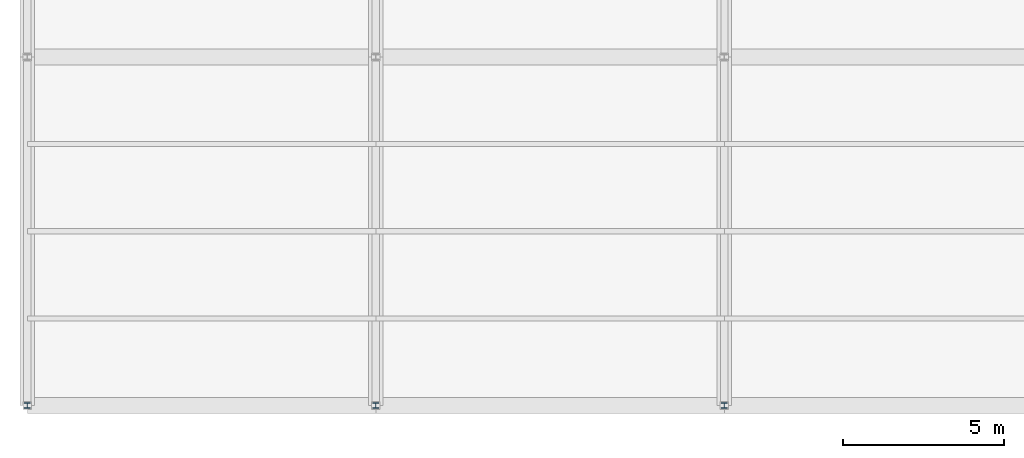
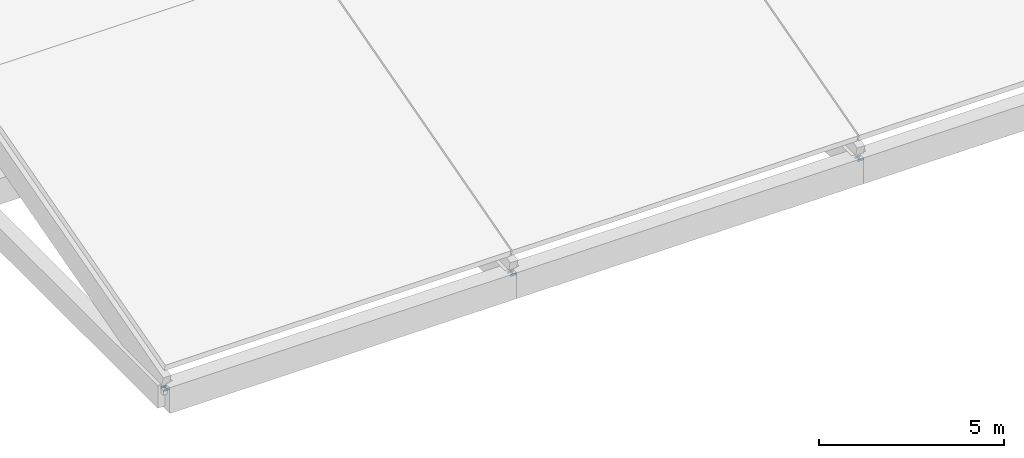
# One storey, part 66 of 112: 3 members.
"""IFC4 building model written with IfcOpenShell, lengths in metres."""

from ifc_helpers import new_model, si_unit, direction, frame, origin, origin_2d, place, context, subcontext, project, spatial, i_section, extrude, material, material_profile, profile_set, type_object, element, save


model = new_model("IFC4")

# Units and contexts
model_context = context("Model", 3, precision=1e-05, world=origin(), true_north=direction((0.0, 1.0)))
body_context = subcontext(model_context, "Body", "Model", "MODEL_VIEW")
ifc_project = project(units=[si_unit("LENGTHUNIT", "METRE"), si_unit("AREAUNIT", "SQUARE_METRE"), si_unit("VOLUMEUNIT", "CUBIC_METRE"), si_unit("PLANEANGLEUNIT", "RADIAN"), si_unit("MASSUNIT", "GRAM", prefix="KILO")], contexts=[model_context])

# Site, building, storey
site_placement = place(None, origin())
site = spatial("IfcSite", under=ifc_project, at=site_placement, CompositionType="ELEMENT")
building_placement = place(site_placement, origin())
building = spatial("IfcBuilding", under=site, at=building_placement, Name="Zwinboog Wholesale Market", CompositionType="ELEMENT")
storey_placement = place(building_placement, frame((0.0, 0.0, 19.080078125)))
storey = spatial("IfcBuildingStorey", under=building, at=storey_placement, Name="Roof", CompositionType="ELEMENT", Elevation=19.080078125)

# Members
ifc_material = material(Name="Steel S355", Category="steel")
ifc_material_profile = material_profile(ifc_material, i_section(OverallWidth=0.179931640625, OverallDepth=0.1708984375, WebThickness=0.006103515625, FlangeThickness=0.009521484375, FilletRadius=0.014892578125, at=origin_2d()), Name="HEA 180")
ifc_profile_set = profile_set([ifc_material_profile], Name="Steel S355")
member_type = type_object("IfcMemberType", Name="MT-07", PredefinedType="BRACE", material=ifc_profile_set)
member_1_placement = place(storey_placement, frame((0.0, 0.0, -9.2001953125), z_axis=(0.0, 0.0, 1.0), x_axis=(1.0, 0.0, 0.0)))
element("IfcMember", 1, at=member_1_placement, inside=storey, type_object=member_type, Name="DB-04 (MEM-Roof-0661)", PredefinedType="BRACE", context=body_context, shape_type="SweptSolid", body=[
    extrude(i_section(OverallWidth=0.179931640625, OverallDepth=0.1708984375, WebThickness=0.006103515625, FlangeThickness=0.009521484375, FilletRadius=0.014892578125, at=origin_2d()), origin(), (0.0, 0.0, 1.0), 0.074462890625),
])
member_2_placement = place(storey_placement, frame((10.800048828125, 0.0, -9.2001953125), z_axis=(0.0, 0.0, 1.0), x_axis=(1.0, 0.0, 0.0)))
element("IfcMember", 2, at=member_2_placement, inside=storey, type_object=member_type, Name="DB-04 (MEM-Roof-0666)", PredefinedType="BRACE", context=body_context, shape_type="SweptSolid", body=[
    extrude(i_section(OverallWidth=0.179931640625, OverallDepth=0.1708984375, WebThickness=0.006103515625, FlangeThickness=0.009521484375, FilletRadius=0.014892578125, at=origin_2d()), origin(), (0.0, 0.0, 1.0), 0.0869140625),
])
member_3_placement = place(storey_placement, frame((21.60009765625, 0.0, -9.2001953125), z_axis=(0.0, 0.0, 1.0), x_axis=(1.0, 0.0, 0.0)))
element("IfcMember", 3, at=member_3_placement, inside=storey, type_object=member_type, Name="DB-04 (MEM-Roof-0671)", PredefinedType="BRACE", context=body_context, shape_type="SweptSolid", body=[
    extrude(i_section(OverallWidth=0.179931640625, OverallDepth=0.1708984375, WebThickness=0.006103515625, FlangeThickness=0.009521484375, FilletRadius=0.014892578125, at=origin_2d()), origin(), (0.0, 0.0, 1.0), 0.074462890625),
])

save(model, "model.ifc")
